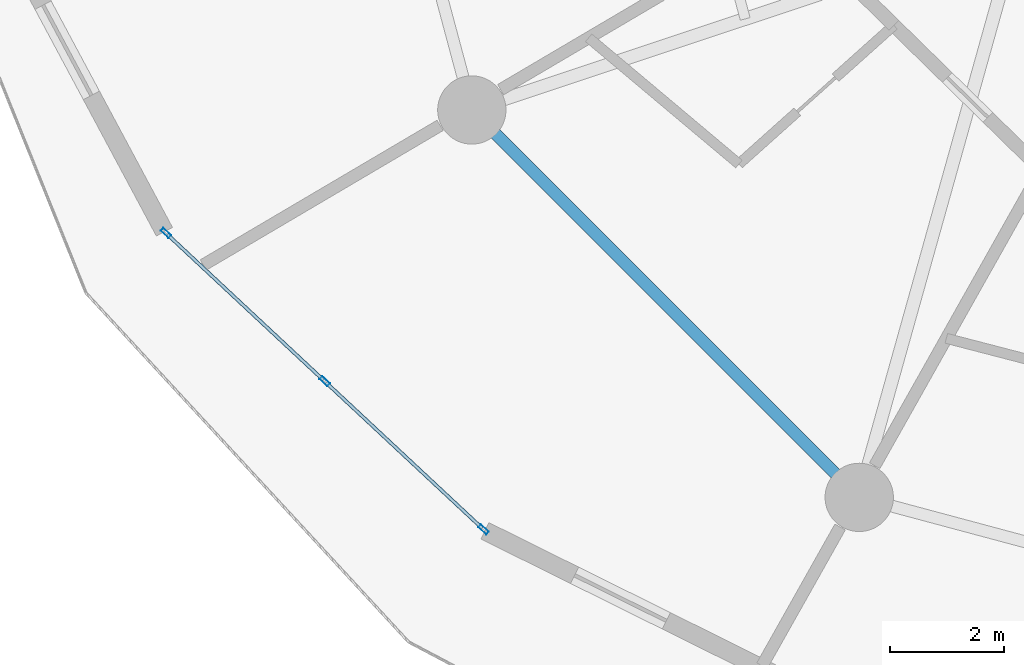
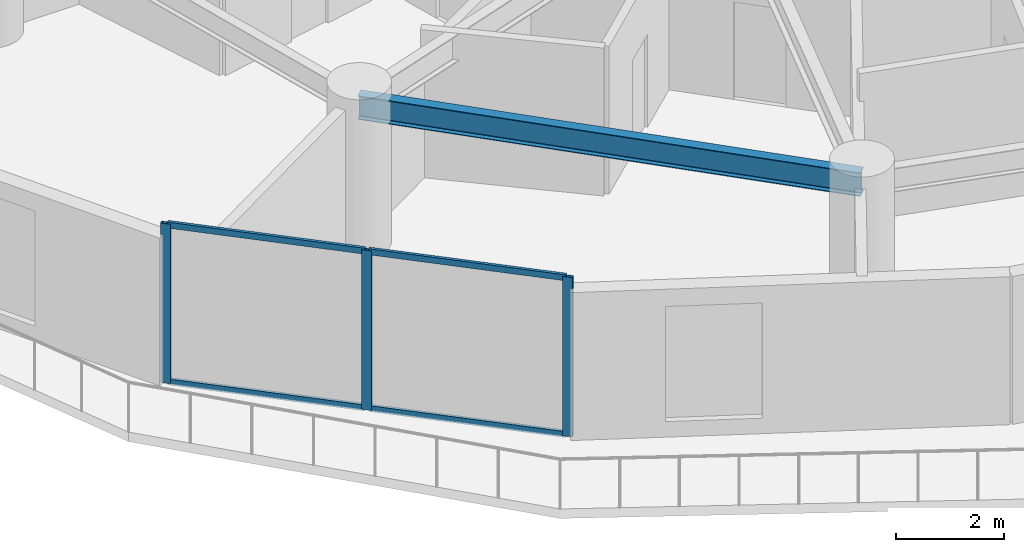
# One storey, part 2 of 26: 7 members, 1 beam, 1 element without a shape of its own.
"""IFC4 building model written with IfcOpenShell, lengths in metres."""

import ifcopenshell
import ifcopenshell.guid

model = None  # the IFC model being written
_history = None  # IfcOwnerHistory: only IFC2X3 demands one
_inside = {}  # id of a spatial element -> (the spatial element, [elements in it])
_under = {}  # id of a project, library or spatial element -> (it, [spatial elements below it])
_declared = {}  # id of a project -> (the project, [libraries it declares])
_typed = {}  # id of a type object -> (the type object, [elements of that type])
_made_of = {}  # id of a material, layer set ... -> (it, [elements and type objects made of it])


def new_model(schema):
    """Start an empty IFC model of exactly this schema.

    Asked for "IFC4X3", IfcOpenShell would pick the latest addendum, in which some entities
    have other attributes; the version numbers below select the first issue.
    IFC2X3 requires an IfcOwnerHistory on every rooted entity: one is made here for all.
    """
    global model, _history
    if schema == "IFC4X3":
        model = ifcopenshell.file(schema_version=(4, 3, 0, 0))
    else:
        model = ifcopenshell.file(schema=schema)
    _inside.clear()
    _under.clear()
    _declared.clear()
    _typed.clear()
    _made_of.clear()
    _history = None
    if model.schema == "IFC2X3":
        org = make("IfcOrganization", Name="unknown")
        user = make(
            "IfcPersonAndOrganization",
            ThePerson=make("IfcPerson", FamilyName="unknown"),
            TheOrganization=org,
        )
        app = make(
            "IfcApplication",
            ApplicationDeveloper=org,
            Version="unknown",
            ApplicationFullName="unknown",
            ApplicationIdentifier="unknown",
        )
        _history = make(
            "IfcOwnerHistory",
            OwningUser=user,
            OwningApplication=app,
            ChangeAction="ADDED",
            CreationDate=0,
        )
    return model


def make(cls, **values):
    """One entity of the class cls with the attributes given. An attribute that is None is left unset."""
    return model.create_entity(
        cls, **{name: value for name, value in values.items() if value is not None}
    )


def rooted(cls, **values):
    """An entity with a GlobalId (a new one), such as an element, a storey or a relation."""
    return make(cls, GlobalId=ifcopenshell.guid.new(), OwnerHistory=_history, **values)


def si_unit(unit_type, name, prefix=None):
    """IfcSIUnit, for example si_unit("LENGTHUNIT", "METRE", prefix="MILLI")."""
    return make("IfcSIUnit", UnitType=unit_type, Prefix=prefix, Name=name)


def assignment(units):
    """IfcUnitAssignment: the units of a project."""
    return None if units is None else make("IfcUnitAssignment", Units=units)


def point(xyz):
    """IfcCartesianPoint."""
    return None if xyz is None else make("IfcCartesianPoint", Coordinates=xyz)


def direction(xyz):
    """IfcDirection."""
    return None if xyz is None else make("IfcDirection", DirectionRatios=xyz)


def frame(location, z_axis=None, x_axis=None):
    """IfcAxis2Placement3D, a coordinate frame: its origin and axes. An axis left out is left unset."""
    return make(
        "IfcAxis2Placement3D",
        Location=point(location),
        Axis=direction(z_axis),
        RefDirection=direction(x_axis),
    )


def frame_2d(location, x_axis=None):
    """IfcAxis2Placement2D, a coordinate frame in the plane: its origin and x axis."""
    return make(
        "IfcAxis2Placement2D", Location=point(location), RefDirection=direction(x_axis)
    )


def origin():
    """The frame at (0, 0, 0) with its axes left unset."""
    return frame((0.0, 0.0, 0.0))


def origin_2d():
    """The frame at (0, 0) in the plane with its x axis left unset."""
    return frame_2d((0.0, 0.0))


def place(relative_to, where):
    """IfcLocalPlacement: puts the frame where relative to a parent placement (None: the world)."""
    return make(
        "IfcLocalPlacement", PlacementRelTo=relative_to, RelativePlacement=where
    )


def context(
    kind, dimensions, precision=None, world=None, true_north=None, identifier=None
):
    """IfcGeometricRepresentationContext, for example the 3D "Model" context."""
    return make(
        "IfcGeometricRepresentationContext",
        ContextIdentifier=identifier,
        ContextType=kind,
        CoordinateSpaceDimension=dimensions,
        Precision=precision,
        WorldCoordinateSystem=world,
        TrueNorth=true_north,
    )


def subcontext(parent, identifier, kind, view, scale=None):
    """IfcGeometricRepresentationSubContext, for example "Body" below "Model"."""
    return make(
        "IfcGeometricRepresentationSubContext",
        ContextIdentifier=identifier,
        ContextType=kind,
        ParentContext=parent,
        TargetScale=scale,
        TargetView=view,
    )


def project(units=None, contexts=None):
    """IfcProject with its units and contexts."""
    return rooted(
        "IfcProject",
        Name="project",
        RepresentationContexts=contexts,
        UnitsInContext=assignment(units),
    )


def spatial(cls, under=None, at=None, **own):
    """A site, building, storey or space (cls), placed at a placement, below another one or the project."""
    s = rooted(cls, ObjectPlacement=at, **own)
    if under is not None:
        _under.setdefault(under.id(), (under, []))[1].append(s)
    return s


def profile(cls, at=None, kind="AREA", **sizes):
    """A parametric profile (cls). Its sizes go by their IFC names, for example OverallWidth=200.0."""
    return make(cls, ProfileType=kind, Position=at, **sizes)


def hollow_rectangle(**sizes):
    """IfcRectangleHollowProfileDef."""
    return profile("IfcRectangleHollowProfileDef", **sizes)


def i_section(**sizes):
    """IfcIShapeProfileDef."""
    return profile("IfcIShapeProfileDef", **sizes)


def extrude(swept, where, along, depth):
    """IfcExtrudedAreaSolid: the profile swept, set in the frame where, extruded along a direction by depth."""
    return make(
        "IfcExtrudedAreaSolid",
        SweptArea=swept,
        Position=where,
        ExtrudedDirection=direction(along),
        Depth=depth,
    )


def shape(context_of_items, identifier, shape_type, items):
    """IfcShapeRepresentation: the items that make up one representation, for example the "Body"."""
    return make(
        "IfcShapeRepresentation",
        ContextOfItems=context_of_items,
        RepresentationIdentifier=identifier,
        RepresentationType=shape_type,
        Items=items,
    )


def source(mapping_origin, context_of_items, identifier, shape_type, items):
    """IfcRepresentationMap: a shape defined once, which mapped items show again and again."""
    return make(
        "IfcRepresentationMap",
        MappingOrigin=mapping_origin,
        MappedRepresentation=shape(context_of_items, identifier, shape_type, items),
    )


def transform(
    local_origin,
    x_axis=None,
    y_axis=None,
    z_axis=None,
    scale=None,
    scale2=None,
    scale3=None,
    uniform=True,
):
    """IfcCartesianTransformationOperator3D, or its non-uniform kind. x_axis, y_axis, z_axis: its Axis1, 2, 3."""
    if uniform:
        return make(
            "IfcCartesianTransformationOperator3D",
            Axis1=direction(x_axis),
            Axis2=direction(y_axis),
            LocalOrigin=point(local_origin),
            Scale=scale,
            Axis3=direction(z_axis),
        )
    return make(
        "IfcCartesianTransformationOperator3DnonUniform",
        Axis1=direction(x_axis),
        Axis2=direction(y_axis),
        LocalOrigin=point(local_origin),
        Scale=scale,
        Axis3=direction(z_axis),
        Scale2=scale2,
        Scale3=scale3,
    )


def mapped(mapping_source, mapping_target):
    """IfcMappedItem: shows the shape of a source again, moved by a transform."""
    return make(
        "IfcMappedItem", MappingSource=mapping_source, MappingTarget=mapping_target
    )


def material(Name=None, Category=None):
    """IfcMaterial."""
    return make("IfcMaterial", Name=Name, Category=Category)


def layer(
    of_material, thickness, ventilated=None, Name=None, Category=None, Priority=None
):
    """IfcMaterialLayer: one layer of a wall or slab, of a material (None: an air gap)."""
    return make(
        "IfcMaterialLayer",
        Material=of_material,
        LayerThickness=thickness,
        IsVentilated=ventilated,
        Name=Name,
        Category=Category,
        Priority=Priority,
    )


def layer_set(layers, Name=None):
    """IfcMaterialLayerSet."""
    return make("IfcMaterialLayerSet", MaterialLayers=layers, LayerSetName=Name)


def material_profile(
    of_material, cross_section, Name=None, Category=None, Priority=None
):
    """IfcMaterialProfile: a cross section and its material."""
    return make(
        "IfcMaterialProfile",
        Name=Name,
        Material=of_material,
        Profile=cross_section,
        Priority=Priority,
        Category=Category,
    )


def profile_set(profiles, Name=None, composite=None):
    """IfcMaterialProfileSet."""
    return make(
        "IfcMaterialProfileSet",
        Name=Name,
        MaterialProfiles=profiles,
        CompositeProfile=composite,
    )


def made_of(thing, what):
    """Note that an element or type object is made of a material, layer set ...; save() writes the relation."""
    if what is not None:
        _made_of.setdefault(what.id(), (what, []))[1].append(thing)
    return thing


def type_object(cls, material=None, **own):
    """A type object (cls), such as IfcWallType, which elements share."""
    return made_of(rooted(cls, **own), material)


def element(
    cls,
    number,
    at=None,
    inside=None,
    cuts=None,
    type_object=None,
    material=None,
    context=None,
    identifier="Body",
    shape_type=None,
    held_by="IfcProductDefinitionShape",
    body=None,
    shapes=None,
    **own,
):
    """One element of the class cls, such as IfcWall. Its Tag is "e" and its number.

    at: its placement. inside: the storey or other place that contains it. cuts: it is an
    opening in that element (IfcRelVoidsElement). A single representation is given by context,
    identifier, shape_type and body (its items); several are given by shapes. held_by: the class
    of the entity that holds the representations. save() writes the other relations.
    """
    e = rooted(cls, Tag="e%d" % number, ObjectPlacement=at, **own)
    if body is not None:
        shapes = [shape(context, identifier, shape_type, body)]
    if shapes is not None:
        e.Representation = make(held_by, Representations=shapes)
    if inside is not None:
        _inside.setdefault(inside.id(), (inside, []))[1].append(e)
    if cuts is not None:
        rooted(
            "IfcRelVoidsElement", RelatingBuildingElement=cuts, RelatedOpeningElement=e
        )
    if type_object is not None:
        _typed.setdefault(type_object.id(), (type_object, []))[1].append(e)
    return made_of(e, material)


def aggregate(whole, parts):
    """IfcRelAggregates: a whole, such as a stair, and the parts it consists of."""
    return rooted("IfcRelAggregates", RelatingObject=whole, RelatedObjects=parts)


def save(model, path):
    """Write the relations noted so far, then the file.

    IfcRelAggregates (storeys below a building ...), IfcRelContainedInSpatialStructure (elements
    in a storey), IfcRelDefinesByType, IfcRelAssociatesMaterial and IfcRelDeclares: one each for
    every whole, place, type object, material and project.
    """
    for whole, parts in _under.values():
        aggregate(whole, parts)
    for where, things in _inside.values():
        rooted(
            "IfcRelContainedInSpatialStructure",
            RelatedElements=things,
            RelatingStructure=where,
        )
    for kind, things in _typed.values():
        rooted("IfcRelDefinesByType", RelatedObjects=things, RelatingType=kind)
    for what, things in _made_of.values():
        rooted("IfcRelAssociatesMaterial", RelatedObjects=things, RelatingMaterial=what)
    for by, libraries in _declared.values():
        rooted("IfcRelDeclares", RelatingContext=by, RelatedDefinitions=libraries)
    model.write(path)


model = new_model("IFC4")

# Units and contexts
model_context = context("Model", 3, precision=1e-05, world=origin(), true_north=direction((0.0, 1.0)))
body_context = subcontext(model_context, "Body", "Model", "MODEL_VIEW")
ifc_project = project(units=[si_unit("LENGTHUNIT", "METRE"), si_unit("AREAUNIT", "SQUARE_METRE"), si_unit("VOLUMEUNIT", "CUBIC_METRE"), si_unit("PLANEANGLEUNIT", "RADIAN"), si_unit("MASSUNIT", "GRAM", prefix="KILO")], contexts=[model_context])

# Site, building, storey
site_placement = place(None, origin())
site = spatial("IfcSite", under=ifc_project, at=site_placement, CompositionType="ELEMENT")
building_placement = place(site_placement, origin())
building = spatial("IfcBuilding", under=site, at=building_placement, Name="Solvirekh Grand Hotel", CompositionType="ELEMENT")
storey_placement = place(building_placement, frame((0.0, 0.0, 35.60009765625)))
storey = spatial("IfcBuildingStorey", under=building, at=storey_placement, Name="L07", CompositionType="ELEMENT", Elevation=35.60009765625)

# Beam
ifc_material_1 = material(Name="Steel S355", Category="steel")
ifc_material_profile_1 = material_profile(ifc_material_1, i_section(OverallWidth=0.208984375, OverallDepth=0.532958984375, WebThickness=0.010009765625, FlangeThickness=0.014892578125, FilletRadius=0.013916015625, at=origin_2d()), Name="W530X92")
ifc_profile_set_1 = profile_set([ifc_material_profile_1], Name="Steel S355")
beam_type = type_object("IfcBeamType", Name="Spandrel_Ring_W530", PredefinedType="SPANDREL", material=ifc_profile_set_1)
beam_placement = place(storey_placement, frame((-16.10791015625, -9.300048828125, 3.072998046875), z_axis=(0.707106781187, -0.707106781187, 0.0), x_axis=(0.707106781187, 0.707106781187, 0.0)))
element("IfcBeam", 1, at=beam_placement, inside=storey, type_object=beam_type, Name="L07 perimeter spandrel beam 8", PredefinedType="SPANDREL", context=body_context, shape_type="SweptSolid", body=[
    extrude(i_section(OverallWidth=0.208984375, OverallDepth=0.532958984375, WebThickness=0.010009765625, FlangeThickness=0.014892578125, FilletRadius=0.013916015625, at=origin_2d()), origin(), (0.0, 0.0, 1.0), 9.627685546875),
])

# Curtain wall, members
ifc_material_2 = material(Name="Anodized Bronze Aluminium 6063-T6", Category="aluminium")
ifc_layer = layer(ifc_material_2, 0.18994140625)
ifc_layer_set = layer_set([ifc_layer], Name="Anodized Bronze Aluminium 6063-T6")
curtain_wall_type = type_object("IfcCurtainWallType", Name="CW_Sys2_LowZoneFlushBronzeCW", PredefinedType="NOTDEFINED", material=ifc_layer_set)
curtain_wall_placement = place(storey_placement, origin())
curtain_wall = element("IfcCurtainWall", 2, at=curtain_wall_placement, inside=storey, type_object=curtain_wall_type, Name="L07 unitised bronze-glass curtain wall CW-L07-C13", PredefinedType="NOTDEFINED")
ifc_material_profile_2 = material_profile(ifc_material_2, hollow_rectangle(XDim=0.06005859375, YDim=0.135009765625, WallThickness=0.00390625, at=origin_2d()), Name="ALU RHS 135X60X4")
ifc_profile_set_2 = profile_set([ifc_material_profile_2], Name="Anodized Bronze Aluminium 6063-T6")
member_type_1 = type_object("IfcMemberType", Name="CWTransom_Sys2", PredefinedType="USERDEFINED", material=ifc_profile_set_2)
shared_shape_1 = source(origin(), body_context, "Body", "SweptSolid", [
    extrude(hollow_rectangle(XDim=0.06005859375, YDim=0.135009765625, WallThickness=0.00390625, at=origin_2d()), origin(), (0.0, 0.0, 1.0), 3.74755859375),
])
member_1_placement = place(storey_placement, frame((-21.458740234375, -11.48681640625, 0.02978515625), z_axis=(0.731083431078, -0.682288074646, 0.0), x_axis=(0.682288074646, 0.731083431078, 0.0)))
member_1 = element("IfcMember", 3, at=member_1_placement, type_object=member_type_1, Name="U02 transom 1.1", ObjectType="TRANSOM", PredefinedType="USERDEFINED", context=body_context, shape_type="MappedRepresentation", body=[
    mapped(shared_shape_1, transform((0.0, 0.0, 0.0), x_axis=(1.0, 0.0, 0.0), y_axis=(0.0, 1.0, 0.0), z_axis=(0.0, 0.0, 1.0), scale=1.0)),
])
member_2_placement = place(storey_placement, frame((-21.458740234375, -11.48681640625, 3.56982421875), z_axis=(0.731083431078, -0.682288074646, 0.0), x_axis=(0.682288074646, 0.731083431078, 0.0)))
member_2 = element("IfcMember", 4, at=member_2_placement, type_object=member_type_1, Name="U02 transom 1.2", ObjectType="TRANSOM", PredefinedType="USERDEFINED", context=body_context, shape_type="MappedRepresentation", body=[
    mapped(shared_shape_1, transform((0.0, 0.0, 0.0), x_axis=(1.0, 0.0, 0.0), y_axis=(0.0, 1.0, 0.0), z_axis=(0.0, 0.0, 1.0), scale=1.0)),
])
member_3_placement = place(storey_placement, frame((-18.66796875, -14.09130859375, 0.02978515625), z_axis=(0.731083431078, -0.682288074646, 0.0), x_axis=(0.682288074646, 0.731083431078, 0.0)))
member_3 = element("IfcMember", 5, at=member_3_placement, type_object=member_type_1, Name="U02 transom 2.1", ObjectType="TRANSOM", PredefinedType="USERDEFINED", context=body_context, shape_type="MappedRepresentation", body=[
    mapped(shared_shape_1, transform((0.0, 0.0, 0.0), x_axis=(1.0, 0.0, 0.0), y_axis=(0.0, 1.0, 0.0), z_axis=(0.0, 0.0, 1.0), scale=1.0)),
])
member_4_placement = place(storey_placement, frame((-18.66796875, -14.09130859375, 3.56982421875), z_axis=(0.731083431078, -0.682288074646, 0.0), x_axis=(0.682288074646, 0.731083431078, 0.0)))
member_4 = element("IfcMember", 6, at=member_4_placement, type_object=member_type_1, Name="U02 transom 2.2", ObjectType="TRANSOM", PredefinedType="USERDEFINED", context=body_context, shape_type="MappedRepresentation", body=[
    mapped(shared_shape_1, transform((0.0, 0.0, 0.0), x_axis=(1.0, 0.0, 0.0), y_axis=(0.0, 1.0, 0.0), z_axis=(0.0, 0.0, 1.0), scale=1.0)),
])
ifc_material_profile_3 = material_profile(ifc_material_2, hollow_rectangle(XDim=0.070068359375, YDim=0.18994140625, WallThickness=0.0048828125, at=origin_2d()), Name="ALU RHS 190X70X5")
ifc_profile_set_3 = profile_set([ifc_material_profile_3], Name="Anodized Bronze Aluminium 6063-T6")
member_type_2 = type_object("IfcMemberType", Name="CWMullion_Sys2", PredefinedType="MULLION", material=ifc_profile_set_3)
shared_shape_2 = source(origin(), body_context, "Body", "SweptSolid", [
    extrude(hollow_rectangle(XDim=0.070068359375, YDim=0.18994140625, WallThickness=0.0048828125, at=origin_2d()), origin(), (0.0, 0.0, 1.0), 3.599853515625),
])
member_5_placement = place(storey_placement, frame((-21.484375, -11.462890625, 0.0), z_axis=(0.0, 0.0, 1.0), x_axis=(0.682285880223, 0.73108547903, 0.0)))
member_5 = element("IfcMember", 7, at=member_5_placement, type_object=member_type_2, Name="U02 mullion 1", PredefinedType="MULLION", context=body_context, shape_type="MappedRepresentation", body=[
    mapped(shared_shape_2, transform((0.0, 0.0, 0.0), x_axis=(1.0, 0.0, 0.0), y_axis=(0.0, 1.0, 0.0), z_axis=(0.0, 0.0, 1.0), scale=1.0)),
])
member_6_placement = place(storey_placement, frame((-18.693603515625, -14.0673828125, 0.0), z_axis=(0.0, 0.0, 1.0), x_axis=(0.682285880223, 0.73108547903, 0.0)))
member_6 = element("IfcMember", 8, at=member_6_placement, type_object=member_type_2, Name="U02 mullion 2", PredefinedType="MULLION", context=body_context, shape_type="MappedRepresentation", body=[
    mapped(shared_shape_2, transform((0.0, 0.0, 0.0), x_axis=(1.0, 0.0, 0.0), y_axis=(0.0, 1.0, 0.0), z_axis=(0.0, 0.0, 1.0), scale=1.0)),
])
member_7_placement = place(storey_placement, frame((-15.902587890625, -16.672119140625, 0.0), z_axis=(0.0, 0.0, 1.0), x_axis=(0.682285880223, 0.73108547903, 0.0)))
member_7 = element("IfcMember", 9, at=member_7_placement, type_object=member_type_2, Name="U02 mullion 3", PredefinedType="MULLION", context=body_context, shape_type="MappedRepresentation", body=[
    mapped(shared_shape_2, transform((0.0, 0.0, 0.0), x_axis=(1.0, 0.0, 0.0), y_axis=(0.0, 1.0, 0.0), z_axis=(0.0, 0.0, 1.0), scale=1.0)),
])
aggregate(curtain_wall, [member_5, member_6, member_7, member_1, member_2, member_3, member_4])

save(model, "model.ifc")
